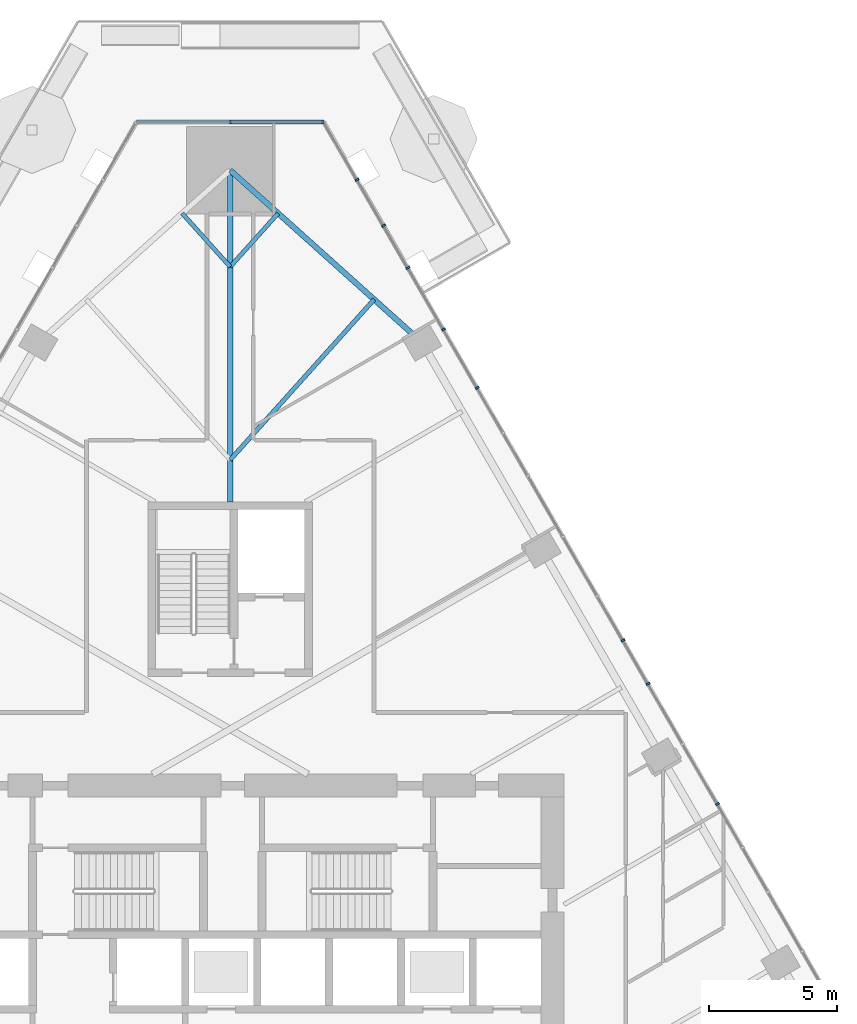
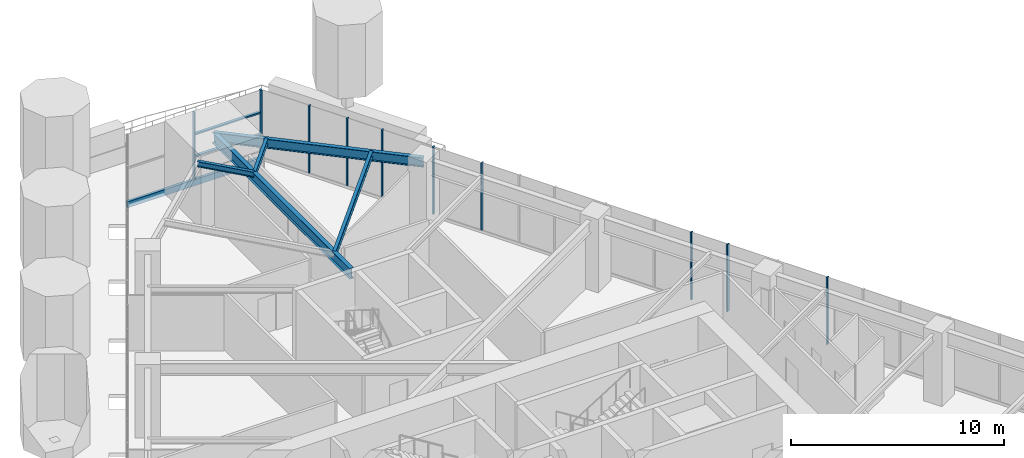
# One storey, part 12 of 25: 13 members, 5 beams, 2 elements without a shape of their own.
"""IFC4 building model written with IfcOpenShell, lengths in metres."""

from ifc_helpers import new_model, si_unit, direction, frame, origin, origin_2d, place, context, subcontext, project, spatial, rectangle, i_section, extrude, material, layer, layer_set, material_profile, profile_set, type_object, element, aggregate, save


model = new_model("IFC4")

# Units and contexts
model_context = context("Model", 3, precision=1e-05, world=origin(), true_north=direction((0.0, 1.0)))
body_context = subcontext(model_context, "Body", "Model", "MODEL_VIEW")
ifc_project = project(units=[si_unit("LENGTHUNIT", "METRE"), si_unit("AREAUNIT", "SQUARE_METRE"), si_unit("VOLUMEUNIT", "CUBIC_METRE"), si_unit("PLANEANGLEUNIT", "RADIAN"), si_unit("MASSUNIT", "GRAM", prefix="KILO")], contexts=[model_context])

# Site, building, storey
site_placement = place(None, origin())
site = spatial("IfcSite", under=ifc_project, at=site_placement, CompositionType="ELEMENT")
building_placement = place(site_placement, origin())
building = spatial("IfcBuilding", under=site, at=building_placement, Name="Firuza Gate Tower and Library", CompositionType="ELEMENT")
storey_placement = place(building_placement, frame((0.0, 0.0, 119.800048828125)))
storey = spatial("IfcBuildingStorey", under=building, at=storey_placement, Name="L27", CompositionType="ELEMENT", Elevation=119.800048828125)

# Curtain wall, members
ifc_material_1 = material(Name="Aluminium 6063-T6", Category="aluminium")
ifc_layer_1 = layer(ifc_material_1, 0.14990234375)
ifc_layer_set_1 = layer_set([ifc_layer_1], Name="Unitised curtain wall, offices")
curtain_wall_type_1 = type_object("IfcCurtainWallType", Name="Unitised curtain wall, offices", PredefinedType="NOTDEFINED", material=ifc_layer_set_1)
placement = place(storey_placement, origin())
curtain_wall_1 = element("IfcCurtainWall", 1, at=placement, inside=storey, type_object=curtain_wall_type_1, Name="CW1 L27 E face", PredefinedType="NOTDEFINED")
ifc_material_2 = material(Name="Aluminium 6063-T6", Category="aluminium")
ifc_material_profile_1 = material_profile(ifc_material_2, rectangle(XDim=0.14990234375, YDim=0.080078125, at=origin_2d()))
ifc_profile_set_1 = profile_set([ifc_material_profile_1], Name="Aluminium 6063-T6")
member_type_1 = type_object("IfcMemberType", Name="Curtain wall mullion 80x150", PredefinedType="MULLION", material=ifc_profile_set_1)
member_1_placement = place(storey_placement, frame((90.292724609375, 89.209716796875, 0.14990234375), z_axis=(0.0, 0.0, 1.0), x_axis=(-0.866025403784, -0.5, 0.0)))
member_1 = element("IfcMember", 2, at=member_1_placement, type_object=member_type_1, Name="Mullion", PredefinedType="MULLION", context=body_context, shape_type="SweptSolid", body=[
    extrude(rectangle(XDim=0.14990234375, YDim=0.080078125, at=origin_2d()), origin(), (0.0, 0.0, 1.0), 3.85009765625),
])
member_2_placement = place(storey_placement, frame((83.302978515625, 101.316162109375, 0.14990234375), z_axis=(0.0, 0.0, 1.0), x_axis=(-0.866025403784, -0.5, 0.0)))
member_2 = element("IfcMember", 3, at=member_2_placement, type_object=member_type_1, Name="Mullion", PredefinedType="MULLION", context=body_context, shape_type="SweptSolid", body=[
    extrude(rectangle(XDim=0.14990234375, YDim=0.080078125, at=origin_2d()), origin(), (0.0, 0.0, 1.0), 3.85009765625),
])
member_3_placement = place(storey_placement, frame((80.97314453125, 105.3515625, 0.14990234375), z_axis=(0.0, 0.0, 1.0), x_axis=(-0.866025403784, -0.5, 0.0)))
member_3 = element("IfcMember", 4, at=member_3_placement, type_object=member_type_1, Name="Mullion", PredefinedType="MULLION", context=body_context, shape_type="SweptSolid", body=[
    extrude(rectangle(XDim=0.14990234375, YDim=0.080078125, at=origin_2d()), origin(), (0.0, 0.0, 1.0), 3.85009765625),
])
member_4_placement = place(storey_placement, frame((93.972900390625, 82.83544921875, 0.14990234375), z_axis=(0.0, 0.0, 1.0), x_axis=(-0.866025403784, -0.5, 0.0)))
member_4 = element("IfcMember", 5, at=member_4_placement, type_object=member_type_1, Name="Mullion", PredefinedType="MULLION", context=body_context, shape_type="SweptSolid", body=[
    extrude(rectangle(XDim=0.14990234375, YDim=0.080078125, at=origin_2d()), origin(), (0.0, 0.0, 1.0), 3.85009765625),
])
member_5_placement = place(storey_placement, frame((91.272216796875, 87.51318359375, 0.14990234375), z_axis=(0.0, 0.0, 1.0), x_axis=(-0.866025403784, -0.5, 0.0)))
member_5 = element("IfcMember", 6, at=member_5_placement, type_object=member_type_1, Name="Mullion", PredefinedType="MULLION", context=body_context, shape_type="SweptSolid", body=[
    extrude(rectangle(XDim=0.14990234375, YDim=0.080078125, at=origin_2d()), origin(), (0.0, 0.0, 1.0), 3.85009765625),
])
member_6_placement = place(storey_placement, frame((84.61865234375, 99.03759765625, 0.14990234375), z_axis=(0.0, 0.0, 1.0), x_axis=(-0.866025403784, -0.5, 0.0)))
member_6 = element("IfcMember", 7, at=member_6_placement, type_object=member_type_1, Name="Mullion", PredefinedType="MULLION", context=body_context, shape_type="SweptSolid", body=[
    extrude(rectangle(XDim=0.14990234375, YDim=0.080078125, at=origin_2d()), origin(), (0.0, 0.0, 1.0), 3.85009765625),
])
member_7_placement = place(storey_placement, frame((81.91796875, 103.715087890625, 0.14990234375), z_axis=(0.0, 0.0, 1.0), x_axis=(-0.866025403784, -0.5, 0.0)))
member_7 = element("IfcMember", 8, at=member_7_placement, type_object=member_type_1, Name="Mullion", PredefinedType="MULLION", context=body_context, shape_type="SweptSolid", body=[
    extrude(rectangle(XDim=0.14990234375, YDim=0.080078125, at=origin_2d()), origin(), (0.0, 0.0, 1.0), 3.85009765625),
])
member_8_placement = place(storey_placement, frame((79.941650390625, 107.138427734375, 0.14990234375), z_axis=(0.0, 0.0, 1.0), x_axis=(-0.866025403784, -0.5, 0.0)))
member_8 = element("IfcMember", 9, at=member_8_placement, type_object=member_type_1, Name="Mullion", PredefinedType="MULLION", context=body_context, shape_type="SweptSolid", body=[
    extrude(rectangle(XDim=0.14990234375, YDim=0.080078125, at=origin_2d()), origin(), (0.0, 0.0, 1.0), 3.85009765625),
])
aggregate(curtain_wall_1, [member_1, member_2, member_3, member_4, member_5, member_6, member_7, member_8])

ifc_material_3 = material(Name="Aluminium 6063-T6", Category="aluminium")
ifc_layer_2 = layer(ifc_material_3, 0.14990234375)
ifc_layer_set_2 = layer_set([ifc_layer_2], Name="Corner curtain wall, chamfers")
curtain_wall_type_2 = type_object("IfcCurtainWallType", Name="Corner curtain wall, chamfers", PredefinedType="NOTDEFINED", material=ifc_layer_set_2)
curtain_wall_2 = element("IfcCurtainWall", 10, at=placement, inside=storey, type_object=curtain_wall_type_2, Name="CW4 L27 N corner", PredefinedType="NOTDEFINED")
member_9_placement = place(storey_placement, frame((78.603271484375, 109.38720703125, 0.14990234375), z_axis=(0.0, 0.0, 1.0), x_axis=(0.0, -1.0, 0.0)))
member_9 = element("IfcMember", 11, at=member_9_placement, type_object=member_type_1, Name="Mullion", PredefinedType="MULLION", context=body_context, shape_type="SweptSolid", body=[
    extrude(rectangle(XDim=0.14990234375, YDim=0.080078125, at=origin_2d()), origin(), (0.0, 0.0, 1.0), 3.85009765625),
])
member_10_placement = place(storey_placement, frame((75.0, 109.38720703125, 0.14990234375), z_axis=(0.0, 0.0, 1.0), x_axis=(0.0, -1.0, 0.0)))
member_10 = element("IfcMember", 12, at=member_10_placement, type_object=member_type_1, Name="Mullion", PredefinedType="MULLION", context=body_context, shape_type="SweptSolid", body=[
    extrude(rectangle(XDim=0.14990234375, YDim=0.080078125, at=origin_2d()), origin(), (0.0, 0.0, 1.0), 3.85009765625),
])
ifc_material_4 = material(Name="Aluminium 6063-T6", Category="aluminium")
ifc_material_profile_2 = material_profile(ifc_material_4, rectangle(XDim=0.14990234375, YDim=0.35009765625, at=origin_2d()))
ifc_profile_set_2 = profile_set([ifc_material_profile_2], Name="Aluminium 6063-T6")
member_type_2 = type_object("IfcMemberType", Name="Curtain wall transom 350x150", PredefinedType="USERDEFINED", material=ifc_profile_set_2)
member_11_placement = place(storey_placement, frame((78.643310546875, 109.38720703125, -0.025146484375), z_axis=(-1.0, 0.0, 0.0), x_axis=(0.0, -1.0, 0.0)))
member_11 = element("IfcMember", 13, at=member_11_placement, type_object=member_type_2, Name="Transom", ObjectType="TRANSOM", PredefinedType="USERDEFINED", context=body_context, shape_type="SweptSolid", body=[
    extrude(rectangle(XDim=0.14990234375, YDim=0.35009765625, at=origin_2d()), origin(), (0.0, 0.0, 1.0), 7.28662109375),
])
ifc_material_5 = material(Name="Aluminium 6063-T6", Category="aluminium")
ifc_material_profile_3 = material_profile(ifc_material_5, rectangle(XDim=0.14990234375, YDim=0.080078125, at=origin_2d()))
ifc_profile_set_3 = profile_set([ifc_material_profile_3], Name="Aluminium 6063-T6")
member_type_3 = type_object("IfcMemberType", Name="Curtain wall transom 80x150", PredefinedType="USERDEFINED", material=ifc_profile_set_3)
member_12_placement = place(storey_placement, frame((78.603271484375, 109.38720703125, 1.449951171875), z_axis=(-1.0, 0.0, 0.0), x_axis=(0.0, -1.0, 0.0)))
member_12 = element("IfcMember", 14, at=member_12_placement, type_object=member_type_3, Name="Transom", ObjectType="TRANSOM", PredefinedType="USERDEFINED", context=body_context, shape_type="SweptSolid", body=[
    extrude(rectangle(XDim=0.14990234375, YDim=0.080078125, at=origin_2d()), origin(), (0.0, 0.0, 1.0), 3.563232421875),
])
member_13_placement = place(storey_placement, frame((78.603271484375, 109.38720703125, 2.724853515625), z_axis=(-1.0, 0.0, 0.0), x_axis=(0.0, -1.0, 0.0)))
member_13 = element("IfcMember", 15, at=member_13_placement, type_object=member_type_3, Name="Transom", ObjectType="TRANSOM", PredefinedType="USERDEFINED", context=body_context, shape_type="SweptSolid", body=[
    extrude(rectangle(XDim=0.14990234375, YDim=0.080078125, at=origin_2d()), origin(), (0.0, 0.0, 1.0), 3.563232421875),
])
aggregate(curtain_wall_2, [member_9, member_10, member_11, member_12, member_13])

# Beams
ifc_material_6 = material(Name="Steel S355", Category="steel")
ifc_material_profile_4 = material_profile(ifc_material_6, i_section(OverallWidth=0.1650390625, OverallDepth=0.31005859375, WebThickness=0.005859375, FlangeThickness=0.009765625, at=origin_2d()))
ifc_profile_set_4 = profile_set([ifc_material_profile_4], Name="Steel S355")
beam_type_1 = type_object("IfcBeamType", Name="W310x39 Floor beam", PredefinedType="JOIST", material=ifc_profile_set_4)
for number, where, z_axis, x_axis, name in (
    (16, (76.8681640625, 105.8349609375, 3.844970703125), (-0.667975448269, -0.744183311094, 0.0), (0.744183311094, -0.667975448269, 0.0), "Floor beam L27 s61"),
    (17, (73.1318359375, 105.8349609375, 3.844970703125), (0.667975448269, -0.744183311094, 0.0), (0.744183311094, 0.667975448269, 0.0), "Floor beam L27 s70"),
):
    element("IfcBeam", number, at=place(storey_placement, frame(where, z_axis=z_axis, x_axis=x_axis)), inside=storey, type_object=beam_type_1, Name=name, PredefinedType="JOIST", context=body_context, shape_type="SweptSolid", body=[
        extrude(i_section(OverallWidth=0.1650390625, OverallDepth=0.31005859375, WebThickness=0.005859375, FlangeThickness=0.009765625, at=origin_2d()), origin(), (0.0, 0.0, 1.0), 2.796875),
    ])
ifc_material_7 = material(Name="Steel S355", Category="steel")
ifc_material_profile_5 = material_profile(ifc_material_7, i_section(OverallWidth=0.1708984375, OverallDepth=0.35498046875, WebThickness=0.007080078125, FlangeThickness=0.01171875, at=origin_2d()))
ifc_profile_set_5 = profile_set([ifc_material_profile_5], Name="Steel S355")
beam_type_2 = type_object("IfcBeamType", Name="W360x51 Floor beam", PredefinedType="JOIST", material=ifc_profile_set_5)
beam_1_placement = place(storey_placement, frame((80.604736328125, 102.480712890625, 3.822509765625), z_axis=(-0.668006027086, -0.744155862556, 0.0), x_axis=(0.744155862556, -0.668006027086, 0.0)))
element("IfcBeam", 18, at=beam_1_placement, inside=storey, type_object=beam_type_2, Name="Floor beam L27 s60", PredefinedType="JOIST", context=body_context, shape_type="SweptSolid", body=[
    extrude(i_section(OverallWidth=0.1708984375, OverallDepth=0.35498046875, WebThickness=0.007080078125, FlangeThickness=0.01171875, at=origin_2d()), origin(), (0.0, 0.0, 1.0), 8.39013671875),
])
ifc_material_8 = material(Name="Steel S355", Category="steel")
ifc_material_profile_6 = material_profile(ifc_material_8, i_section(OverallWidth=0.212890625, OverallDepth=0.5390625, WebThickness=0.01171875, FlangeThickness=0.018798828125, at=origin_2d()))
ifc_profile_set_6 = profile_set([ifc_material_profile_6], Name="Steel S355")
beam_type_3 = type_object("IfcBeamType", Name="W530x109 Edge beam", PredefinedType="SPANDREL", material=ifc_profile_set_6)
beam_2_placement = place(storey_placement, frame((82.47314453125, 100.8037109375, 3.73046875), z_axis=(-0.744151797704, 0.668010555286, 0.0), x_axis=(-0.668010555286, -0.744151797704, 0.0)))
element("IfcBeam", 19, at=beam_2_placement, inside=storey, type_object=beam_type_3, Name="Edge beam L27 e60", PredefinedType="SPANDREL", context=body_context, shape_type="SweptSolid", body=[
    extrude(i_section(OverallWidth=0.212890625, OverallDepth=0.5390625, WebThickness=0.01171875, FlangeThickness=0.018798828125, at=origin_2d()), origin(), (0.0, 0.0, 1.0), 10.04248046875),
])
ifc_material_9 = material(Name="Steel S355", Category="steel")
ifc_material_profile_7 = material_profile(ifc_material_9, i_section(OverallWidth=0.22802734375, OverallDepth=0.60302734375, WebThickness=0.010498046875, FlangeThickness=0.014892578125, at=origin_2d()))
ifc_profile_set_7 = profile_set([ifc_material_profile_7], Name="Steel S355")
beam_type_4 = type_object("IfcBeamType", Name="W610x101 Girder", PredefinedType="BEAM", material=ifc_profile_set_7)
beam_3_placement = place(storey_placement, frame((75.0, 107.51220703125, 3.698486328125), z_axis=(0.0, -1.0, 0.0), x_axis=(1.0, 0.0, 0.0)))
element("IfcBeam", 20, at=beam_3_placement, inside=storey, type_object=beam_type_4, Name="Girder L27 gN", PredefinedType="BEAM", context=body_context, shape_type="SweptSolid", body=[
    extrude(i_section(OverallWidth=0.22802734375, OverallDepth=0.60302734375, WebThickness=0.010498046875, FlangeThickness=0.014892578125, at=origin_2d()), origin(), (0.0, 0.0, 1.0), 12.912109375),
])

save(model, "model.ifc")
